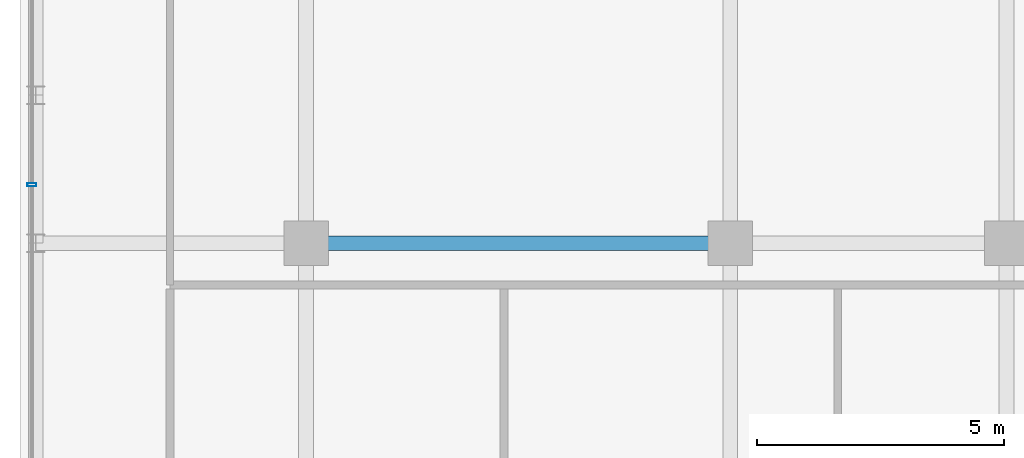
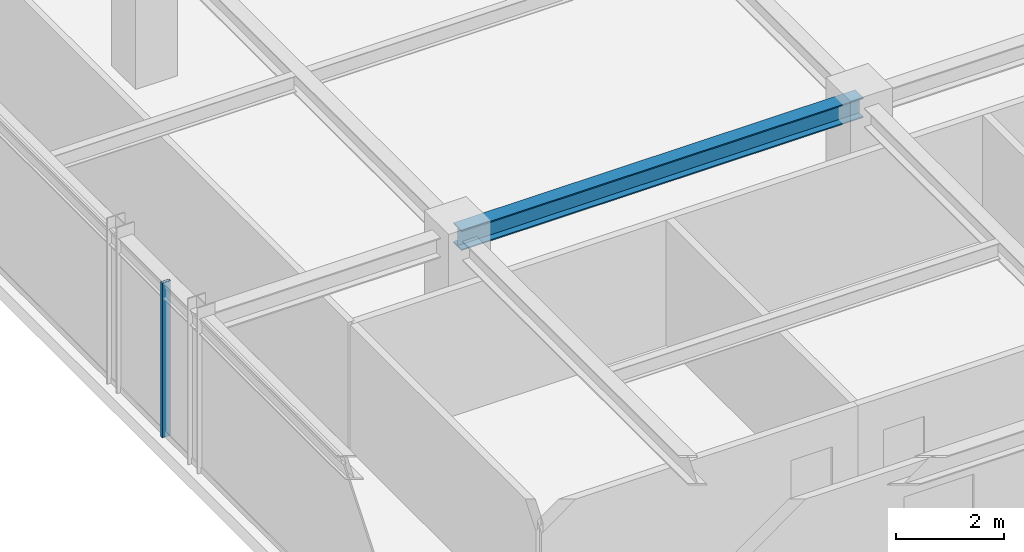
# One storey, part 10 of 31: 1 beam, 1 member, 1 element without a shape of its own.
"""IFC4 building model written with IfcOpenShell, lengths in metres."""

import ifcopenshell
import ifcopenshell.guid

model = None  # the IFC model being written
_history = None  # IfcOwnerHistory: only IFC2X3 demands one
_inside = {}  # id of a spatial element -> (the spatial element, [elements in it])
_under = {}  # id of a project, library or spatial element -> (it, [spatial elements below it])
_declared = {}  # id of a project -> (the project, [libraries it declares])
_typed = {}  # id of a type object -> (the type object, [elements of that type])
_made_of = {}  # id of a material, layer set ... -> (it, [elements and type objects made of it])


def new_model(schema):
    """Start an empty IFC model of exactly this schema.

    Asked for "IFC4X3", IfcOpenShell would pick the latest addendum, in which some entities
    have other attributes; the version numbers below select the first issue.
    IFC2X3 requires an IfcOwnerHistory on every rooted entity: one is made here for all.
    """
    global model, _history
    if schema == "IFC4X3":
        model = ifcopenshell.file(schema_version=(4, 3, 0, 0))
    else:
        model = ifcopenshell.file(schema=schema)
    _inside.clear()
    _under.clear()
    _declared.clear()
    _typed.clear()
    _made_of.clear()
    _history = None
    if model.schema == "IFC2X3":
        org = make("IfcOrganization", Name="unknown")
        user = make(
            "IfcPersonAndOrganization",
            ThePerson=make("IfcPerson", FamilyName="unknown"),
            TheOrganization=org,
        )
        app = make(
            "IfcApplication",
            ApplicationDeveloper=org,
            Version="unknown",
            ApplicationFullName="unknown",
            ApplicationIdentifier="unknown",
        )
        _history = make(
            "IfcOwnerHistory",
            OwningUser=user,
            OwningApplication=app,
            ChangeAction="ADDED",
            CreationDate=0,
        )
    return model


def make(cls, **values):
    """One entity of the class cls with the attributes given. An attribute that is None is left unset."""
    return model.create_entity(
        cls, **{name: value for name, value in values.items() if value is not None}
    )


def rooted(cls, **values):
    """An entity with a GlobalId (a new one), such as an element, a storey or a relation."""
    return make(cls, GlobalId=ifcopenshell.guid.new(), OwnerHistory=_history, **values)


def si_unit(unit_type, name, prefix=None):
    """IfcSIUnit, for example si_unit("LENGTHUNIT", "METRE", prefix="MILLI")."""
    return make("IfcSIUnit", UnitType=unit_type, Prefix=prefix, Name=name)


def assignment(units):
    """IfcUnitAssignment: the units of a project."""
    return None if units is None else make("IfcUnitAssignment", Units=units)


def point(xyz):
    """IfcCartesianPoint."""
    return None if xyz is None else make("IfcCartesianPoint", Coordinates=xyz)


def direction(xyz):
    """IfcDirection."""
    return None if xyz is None else make("IfcDirection", DirectionRatios=xyz)


def frame(location, z_axis=None, x_axis=None):
    """IfcAxis2Placement3D, a coordinate frame: its origin and axes. An axis left out is left unset."""
    return make(
        "IfcAxis2Placement3D",
        Location=point(location),
        Axis=direction(z_axis),
        RefDirection=direction(x_axis),
    )


def frame_2d(location, x_axis=None):
    """IfcAxis2Placement2D, a coordinate frame in the plane: its origin and x axis."""
    return make(
        "IfcAxis2Placement2D", Location=point(location), RefDirection=direction(x_axis)
    )


def origin():
    """The frame at (0, 0, 0) with its axes left unset."""
    return frame((0.0, 0.0, 0.0))


def origin_2d():
    """The frame at (0, 0) in the plane with its x axis left unset."""
    return frame_2d((0.0, 0.0))


def place(relative_to, where):
    """IfcLocalPlacement: puts the frame where relative to a parent placement (None: the world)."""
    return make(
        "IfcLocalPlacement", PlacementRelTo=relative_to, RelativePlacement=where
    )


def context(
    kind, dimensions, precision=None, world=None, true_north=None, identifier=None
):
    """IfcGeometricRepresentationContext, for example the 3D "Model" context."""
    return make(
        "IfcGeometricRepresentationContext",
        ContextIdentifier=identifier,
        ContextType=kind,
        CoordinateSpaceDimension=dimensions,
        Precision=precision,
        WorldCoordinateSystem=world,
        TrueNorth=true_north,
    )


def subcontext(parent, identifier, kind, view, scale=None):
    """IfcGeometricRepresentationSubContext, for example "Body" below "Model"."""
    return make(
        "IfcGeometricRepresentationSubContext",
        ContextIdentifier=identifier,
        ContextType=kind,
        ParentContext=parent,
        TargetScale=scale,
        TargetView=view,
    )


def project(units=None, contexts=None):
    """IfcProject with its units and contexts."""
    return rooted(
        "IfcProject",
        Name="project",
        RepresentationContexts=contexts,
        UnitsInContext=assignment(units),
    )


def spatial(cls, under=None, at=None, **own):
    """A site, building, storey or space (cls), placed at a placement, below another one or the project."""
    s = rooted(cls, ObjectPlacement=at, **own)
    if under is not None:
        _under.setdefault(under.id(), (under, []))[1].append(s)
    return s


def profile(cls, at=None, kind="AREA", **sizes):
    """A parametric profile (cls). Its sizes go by their IFC names, for example OverallWidth=200.0."""
    return make(cls, ProfileType=kind, Position=at, **sizes)


def hollow_rectangle(**sizes):
    """IfcRectangleHollowProfileDef."""
    return profile("IfcRectangleHollowProfileDef", **sizes)


def i_section(**sizes):
    """IfcIShapeProfileDef."""
    return profile("IfcIShapeProfileDef", **sizes)


def extrude(swept, where, along, depth):
    """IfcExtrudedAreaSolid: the profile swept, set in the frame where, extruded along a direction by depth."""
    return make(
        "IfcExtrudedAreaSolid",
        SweptArea=swept,
        Position=where,
        ExtrudedDirection=direction(along),
        Depth=depth,
    )


def shape(context_of_items, identifier, shape_type, items):
    """IfcShapeRepresentation: the items that make up one representation, for example the "Body"."""
    return make(
        "IfcShapeRepresentation",
        ContextOfItems=context_of_items,
        RepresentationIdentifier=identifier,
        RepresentationType=shape_type,
        Items=items,
    )


def source(mapping_origin, context_of_items, identifier, shape_type, items):
    """IfcRepresentationMap: a shape defined once, which mapped items show again and again."""
    return make(
        "IfcRepresentationMap",
        MappingOrigin=mapping_origin,
        MappedRepresentation=shape(context_of_items, identifier, shape_type, items),
    )


def transform(
    local_origin,
    x_axis=None,
    y_axis=None,
    z_axis=None,
    scale=None,
    scale2=None,
    scale3=None,
    uniform=True,
):
    """IfcCartesianTransformationOperator3D, or its non-uniform kind. x_axis, y_axis, z_axis: its Axis1, 2, 3."""
    if uniform:
        return make(
            "IfcCartesianTransformationOperator3D",
            Axis1=direction(x_axis),
            Axis2=direction(y_axis),
            LocalOrigin=point(local_origin),
            Scale=scale,
            Axis3=direction(z_axis),
        )
    return make(
        "IfcCartesianTransformationOperator3DnonUniform",
        Axis1=direction(x_axis),
        Axis2=direction(y_axis),
        LocalOrigin=point(local_origin),
        Scale=scale,
        Axis3=direction(z_axis),
        Scale2=scale2,
        Scale3=scale3,
    )


def mapped(mapping_source, mapping_target):
    """IfcMappedItem: shows the shape of a source again, moved by a transform."""
    return make(
        "IfcMappedItem", MappingSource=mapping_source, MappingTarget=mapping_target
    )


def material(Name=None, Category=None):
    """IfcMaterial."""
    return make("IfcMaterial", Name=Name, Category=Category)


def material_profile(
    of_material, cross_section, Name=None, Category=None, Priority=None
):
    """IfcMaterialProfile: a cross section and its material."""
    return make(
        "IfcMaterialProfile",
        Name=Name,
        Material=of_material,
        Profile=cross_section,
        Priority=Priority,
        Category=Category,
    )


def profile_set(profiles, Name=None, composite=None):
    """IfcMaterialProfileSet."""
    return make(
        "IfcMaterialProfileSet",
        Name=Name,
        MaterialProfiles=profiles,
        CompositeProfile=composite,
    )


def made_of(thing, what):
    """Note that an element or type object is made of a material, layer set ...; save() writes the relation."""
    if what is not None:
        _made_of.setdefault(what.id(), (what, []))[1].append(thing)
    return thing


def type_object(cls, material=None, **own):
    """A type object (cls), such as IfcWallType, which elements share."""
    return made_of(rooted(cls, **own), material)


def element(
    cls,
    number,
    at=None,
    inside=None,
    cuts=None,
    type_object=None,
    material=None,
    context=None,
    identifier="Body",
    shape_type=None,
    held_by="IfcProductDefinitionShape",
    body=None,
    shapes=None,
    **own,
):
    """One element of the class cls, such as IfcWall. Its Tag is "e" and its number.

    at: its placement. inside: the storey or other place that contains it. cuts: it is an
    opening in that element (IfcRelVoidsElement). A single representation is given by context,
    identifier, shape_type and body (its items); several are given by shapes. held_by: the class
    of the entity that holds the representations. save() writes the other relations.
    """
    e = rooted(cls, Tag="e%d" % number, ObjectPlacement=at, **own)
    if body is not None:
        shapes = [shape(context, identifier, shape_type, body)]
    if shapes is not None:
        e.Representation = make(held_by, Representations=shapes)
    if inside is not None:
        _inside.setdefault(inside.id(), (inside, []))[1].append(e)
    if cuts is not None:
        rooted(
            "IfcRelVoidsElement", RelatingBuildingElement=cuts, RelatedOpeningElement=e
        )
    if type_object is not None:
        _typed.setdefault(type_object.id(), (type_object, []))[1].append(e)
    return made_of(e, material)


def aggregate(whole, parts):
    """IfcRelAggregates: a whole, such as a stair, and the parts it consists of."""
    return rooted("IfcRelAggregates", RelatingObject=whole, RelatedObjects=parts)


def save(model, path):
    """Write the relations noted so far, then the file.

    IfcRelAggregates (storeys below a building ...), IfcRelContainedInSpatialStructure (elements
    in a storey), IfcRelDefinesByType, IfcRelAssociatesMaterial and IfcRelDeclares: one each for
    every whole, place, type object, material and project.
    """
    for whole, parts in _under.values():
        aggregate(whole, parts)
    for where, things in _inside.values():
        rooted(
            "IfcRelContainedInSpatialStructure",
            RelatedElements=things,
            RelatingStructure=where,
        )
    for kind, things in _typed.values():
        rooted("IfcRelDefinesByType", RelatedObjects=things, RelatingType=kind)
    for what, things in _made_of.values():
        rooted("IfcRelAssociatesMaterial", RelatedObjects=things, RelatingMaterial=what)
    for by, libraries in _declared.values():
        rooted("IfcRelDeclares", RelatingContext=by, RelatedDefinitions=libraries)
    model.write(path)


model = new_model("IFC4")

# Units and contexts
model_context = context("Model", 3, precision=1e-05, world=origin(), true_north=direction((0.0, 1.0)))
body_context = subcontext(model_context, "Body", "Model", "MODEL_VIEW")
ifc_project = project(units=[si_unit("LENGTHUNIT", "METRE"), si_unit("AREAUNIT", "SQUARE_METRE"), si_unit("VOLUMEUNIT", "CUBIC_METRE"), si_unit("PLANEANGLEUNIT", "RADIAN"), si_unit("MASSUNIT", "GRAM", prefix="KILO")], contexts=[model_context])

# Site, building, storey
site_placement = place(None, origin())
site = spatial("IfcSite", under=ifc_project, at=site_placement, CompositionType="ELEMENT")
building_placement = place(site_placement, origin())
building = spatial("IfcBuilding", under=site, at=building_placement, Name="Nahalor Promenade Grand Hotel", CompositionType="ELEMENT")
storey_placement = place(building_placement, frame((0.0, 0.0, 327.14990234375)))
storey = spatial("IfcBuildingStorey", under=building, at=storey_placement, Name="L84", CompositionType="ELEMENT", Elevation=327.14990234375)

# Beam
ifc_material_1 = material(Name="Steel S355JR", Category="steel")
ifc_material_profile_1 = material_profile(ifc_material_1, i_section(OverallWidth=0.3, OverallDepth=0.45, WebThickness=0.014, FlangeThickness=0.026, at=origin_2d()), Name="HEB 450")
ifc_profile_set_1 = profile_set([ifc_material_profile_1], Name="Steel S355JR")
beam_type = type_object("IfcBeamType", Name="Beam-Girder-HEB450", PredefinedType="BEAM", material=ifc_profile_set_1)
shared_shape_1 = source(origin(), body_context, "Body", "SweptSolid", [
    extrude(i_section(OverallWidth=0.3, OverallDepth=0.45, WebThickness=0.014, FlangeThickness=0.026, at=origin_2d()), origin(), (0.0, 0.0, 1.0), 8.60009765625),
])
beam_placement = place(storey_placement, frame((-17.0, 5.39990234375, 3.275146484375), z_axis=(1.0, 0.0, 0.0), x_axis=(0.0, 1.0, 0.0)))
element("IfcBeam", 1, at=beam_placement, inside=storey, type_object=beam_type, Name="BM-L84-GX-2-1", PredefinedType="BEAM", context=body_context, shape_type="MappedRepresentation", body=[
    mapped(shared_shape_1, transform((0.0, 0.0, 0.0), scale=1.0)),
])

# Curtain wall, member
ifc_material_2 = material(Name="Anodised Bronze Aluminium EN AW-6063 T6", Category="aluminium")
curtain_wall_type = type_object("IfcCurtainWallType", Name="CW2 Typical Hotel Flush Bronze Unitised Curtain Wall", PredefinedType="USERDEFINED", material=ifc_material_2)
curtain_wall_placement = place(storey_placement, origin())
curtain_wall = element("IfcCurtainWall", 2, at=curtain_wall_placement, inside=storey, type_object=curtain_wall_type, Name="L84 Curtain Wall CW-L84-W-1", ObjectType="UNITISED_CURTAIN_WALL", PredefinedType="USERDEFINED")
ifc_material_profile_2 = material_profile(ifc_material_2, hollow_rectangle(XDim=0.065, YDim=0.18, WallThickness=0.004, at=origin_2d()), Name="CWM 65x180x4")
ifc_profile_set_2 = profile_set([ifc_material_profile_2], Name="Anodised Bronze Aluminium EN AW-6063 T6")
member_type = type_object("IfcMemberType", Name="CWM2 Typical Bronze Mullion 65x180", PredefinedType="MULLION", material=ifc_profile_set_2)
shared_shape_2 = source(origin(), body_context, "Body", "SweptSolid", [
    extrude(hollow_rectangle(XDim=0.065, YDim=0.18, WallThickness=0.004, at=origin_2d()), origin(), (0.0, 0.0, 1.0), 3.5),
])
member_placement = place(storey_placement, frame((-22.56005859375, 6.586669921875, 0.0), z_axis=(0.0, 0.0, 1.0), x_axis=(0.0, 1.0, 0.0)))
member = element("IfcMember", 3, at=member_placement, type_object=member_type, Name="CW-L84-W-1 Mullion 2", PredefinedType="MULLION", context=body_context, shape_type="MappedRepresentation", body=[
    mapped(shared_shape_2, transform((0.0, 0.0, 0.0), scale=1.0)),
])
aggregate(curtain_wall, [member])

save(model, "model.ifc")
